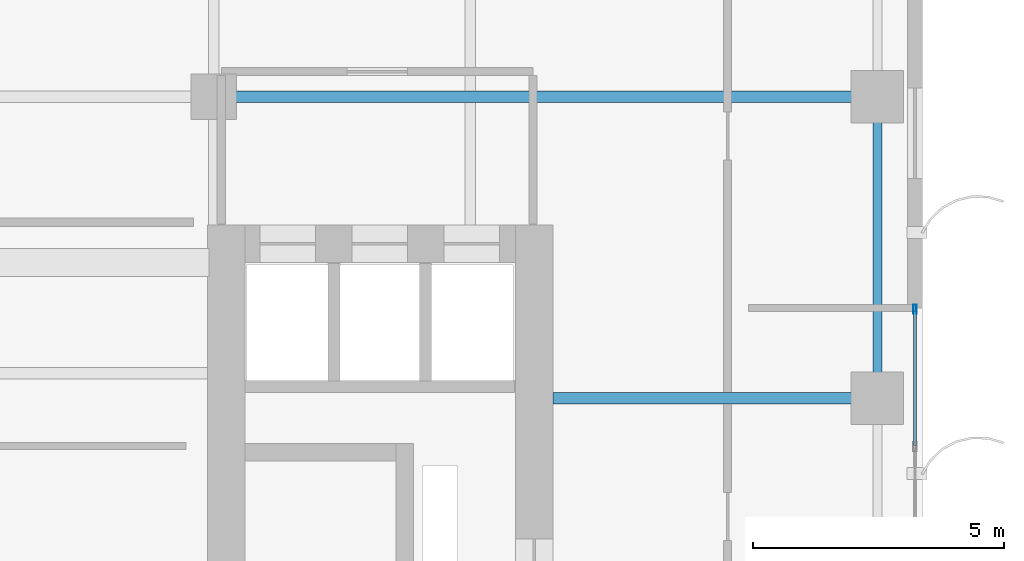
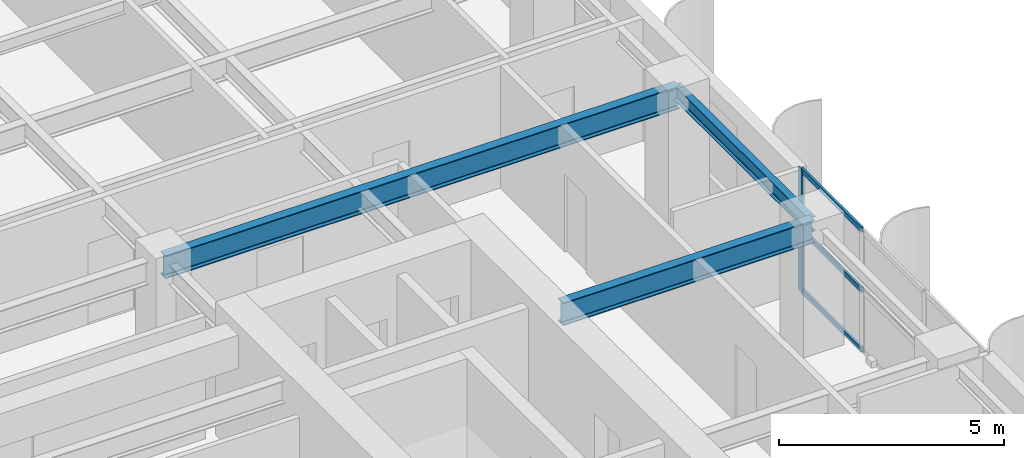
# One storey, part 12 of 22: 4 members, 3 beams, 1 element without a shape of its own.
"""IFC4 building model written with IfcOpenShell, lengths in metres."""

from ifc_helpers import new_model, si_unit, direction, frame, origin, origin_2d, place, context, subcontext, project, spatial, hollow_rectangle, i_section, extrude, source, transform, mapped, material, layer, layer_set, material_profile, profile_set, type_object, element, aggregate, save


model = new_model("IFC4")

# Units and contexts
model_context = context("Model", 3, precision=1e-05, world=origin(), true_north=direction((0.0, 1.0)))
body_context = subcontext(model_context, "Body", "Model", "MODEL_VIEW")
ifc_project = project(units=[si_unit("LENGTHUNIT", "METRE"), si_unit("AREAUNIT", "SQUARE_METRE"), si_unit("VOLUMEUNIT", "CUBIC_METRE"), si_unit("PLANEANGLEUNIT", "RADIAN"), si_unit("MASSUNIT", "GRAM", prefix="KILO")], contexts=[model_context])

# Site, building, storey
site_placement = place(None, origin())
site = spatial("IfcSite", under=ifc_project, at=site_placement, CompositionType="ELEMENT")
building_placement = place(site_placement, origin())
building = spatial("IfcBuilding", under=site, at=building_placement, Name="Khoralis Quay Care Tower", CompositionType="ELEMENT")
storey_placement = place(building_placement, frame((0.0, 0.0, 141.300048828125)))
storey = spatial("IfcBuildingStorey", under=building, at=storey_placement, Name="L37", CompositionType="ELEMENT", Elevation=141.300048828125)

# Beams
ifc_material_1 = material(Name="Steel S355", Category="steel")
ifc_material_profile_1 = material_profile(ifc_material_1, i_section(OverallWidth=0.179931640625, OverallDepth=0.39990234375, WebThickness=0.008544921875, FlangeThickness=0.013427734375, FilletRadius=0.02099609375, at=origin_2d()), Name="Steel S355")
ifc_profile_set_1 = profile_set([ifc_material_profile_1], Name="Steel S355")
beam_type_1 = type_object("IfcBeamType", Name="BM-IPE400", PredefinedType="SPANDREL", material=ifc_profile_set_1)
shared_shape_1 = source(origin(), body_context, "Body", "SweptSolid", [
    extrude(i_section(OverallWidth=0.179931640625, OverallDepth=0.39990234375, WebThickness=0.008544921875, FlangeThickness=0.013427734375, FilletRadius=0.02099609375, at=origin_2d()), origin(), (0.0, 0.0, 1.0), 6.0),
])
beam_1_placement = place(storey_placement, frame((44.10009765625, 24.0, 3.119873046875), z_axis=(0.0, 1.0, 0.0), x_axis=(-1.0, 0.0, 0.0)))
element("IfcBeam", 1, at=beam_1_placement, inside=storey, type_object=beam_type_1, Name="BM-TSP-L37-19", PredefinedType="SPANDREL", context=body_context, shape_type="MappedRepresentation", body=[
    mapped(shared_shape_1, transform((0.0, 0.0, 0.0), scale=1.0)),
])
ifc_material_profile_2 = material_profile(ifc_material_1, i_section(OverallWidth=0.22998046875, OverallDepth=0.616943359375, WebThickness=0.01318359375, FlangeThickness=0.022216796875, FilletRadius=0.01806640625, at=origin_2d()), Name="Steel S355")
ifc_profile_set_2 = profile_set([ifc_material_profile_2], Name="Steel S355")
beam_type_2 = type_object("IfcBeamType", Name="BM-W610X140", PredefinedType="BEAM", material=ifc_profile_set_2)
shared_shape_2 = source(origin(), body_context, "Body", "SweptSolid", [
    extrude(i_section(OverallWidth=0.22998046875, OverallDepth=0.616943359375, WebThickness=0.01318359375, FlangeThickness=0.022216796875, FilletRadius=0.01806640625, at=origin_2d()), origin(), (0.0, 0.0, 1.0), 13.2001953125),
])
beam_2_placement = place(storey_placement, frame((30.89990234375, 30.0, 3.011474609375), z_axis=(1.0, 0.0, 0.0), x_axis=(0.0, 1.0, 0.0)))
element("IfcBeam", 2, at=beam_2_placement, inside=storey, type_object=beam_type_2, Name="BM-TGXE-L37-300", PredefinedType="BEAM", context=body_context, shape_type="MappedRepresentation", body=[
    mapped(shared_shape_2, transform((0.0, 0.0, 0.0), scale=1.0)),
])
shared_shape_3 = source(origin(), body_context, "Body", "SweptSolid", [
    extrude(i_section(OverallWidth=0.22998046875, OverallDepth=0.616943359375, WebThickness=0.01318359375, FlangeThickness=0.022216796875, FilletRadius=0.01806640625, at=origin_2d()), origin(), (0.0, 0.0, 1.0), 6.4521484375),
])
beam_3_placement = place(storey_placement, frame((37.64794921875, 24.0, 3.011474609375), z_axis=(1.0, 0.0, 0.0), x_axis=(0.0, 1.0, 0.0)))
element("IfcBeam", 3, at=beam_3_placement, inside=storey, type_object=beam_type_2, Name="BM-TGXE-L37-240", PredefinedType="BEAM", context=body_context, shape_type="MappedRepresentation", body=[
    mapped(shared_shape_3, transform((0.0, 0.0, 0.0), scale=1.0)),
])

# Curtain wall, members
ifc_material_2 = material(Name="Pale anodised aluminium", Category="aluminium")
ifc_layer = layer(ifc_material_2, 0.169921875)
ifc_layer_set = layer_set([ifc_layer], Name="Pale anodised aluminium")
curtain_wall_type = type_object("IfcCurtainWallType", Name="CW-SYS-Z2", PredefinedType="NOTDEFINED", material=ifc_layer_set)
curtain_wall_placement = place(storey_placement, origin())
curtain_wall = element("IfcCurtainWall", 4, at=curtain_wall_placement, inside=storey, type_object=curtain_wall_type, Name="L37 Unitised Curtain Wall CW-L37-P1-E5", PredefinedType="NOTDEFINED")
ifc_material_profile_3 = material_profile(ifc_material_2, hollow_rectangle(XDim=0.06494140625, YDim=0.179931640625, WallThickness=0.00390625, at=origin_2d()), Name="Pale anodised aluminium")
ifc_profile_set_3 = profile_set([ifc_material_profile_3], Name="Pale anodised aluminium")
member_type_1 = type_object("IfcMemberType", Name="CW-MUL-180", PredefinedType="MULLION", material=ifc_profile_set_3)
shared_shape_4 = source(origin(), body_context, "Body", "SweptSolid", [
    extrude(hollow_rectangle(XDim=0.06494140625, YDim=0.179931640625, WallThickness=0.00390625, at=origin_2d()), origin(), (0.0, 0.0, 1.0), 3.320068359375),
])
member_1_placement = place(storey_placement, frame((44.85009765625, 25.77001953125, 0.0), z_axis=(0.0, 0.0, 1.0), x_axis=(-1.0, 0.0, 0.0)))
member_1 = element("IfcMember", 5, at=member_1_placement, type_object=member_type_1, Name="CW2 mullion 4", PredefinedType="MULLION", context=body_context, shape_type="MappedRepresentation", body=[
    mapped(shared_shape_4, transform((0.0, 0.0, 0.0), scale=1.0)),
])
ifc_material_profile_4 = material_profile(ifc_material_2, hollow_rectangle(XDim=0.06005859375, YDim=0.139892578125, WallThickness=0.00390625, at=origin_2d()), Name="Pale anodised aluminium")
ifc_profile_set_4 = profile_set([ifc_material_profile_4], Name="Pale anodised aluminium")
member_type_2 = type_object("IfcMemberType", Name="CW-TRN-140", PredefinedType="USERDEFINED", material=ifc_profile_set_4)
shared_shape_5 = source(origin(), body_context, "Body", "SweptSolid", [
    extrude(hollow_rectangle(XDim=0.06005859375, YDim=0.139892578125, WallThickness=0.00390625, at=origin_2d()), origin(), (0.0, 0.0, 1.0), 2.6767578125),
])
member_2_placement = place(storey_placement, frame((44.85009765625, 23.063232421875, 0.030029296875), z_axis=(0.0, 1.0, 0.0), x_axis=(-1.0, 0.0, 0.0)))
member_2 = element("IfcMember", 6, at=member_2_placement, type_object=member_type_2, Name="CW2 transom 3.1", ObjectType="TRANSOM", PredefinedType="USERDEFINED", context=body_context, shape_type="MappedRepresentation", body=[
    mapped(shared_shape_5, transform((0.0, 0.0, 0.0), scale=1.0)),
])
member_3_placement = place(storey_placement, frame((44.85009765625, 23.063232421875, 1.659912109375), z_axis=(0.0, 1.0, 0.0), x_axis=(-1.0, 0.0, 0.0)))
member_3 = element("IfcMember", 7, at=member_3_placement, type_object=member_type_2, Name="CW2 transom 3.2", ObjectType="TRANSOM", PredefinedType="USERDEFINED", context=body_context, shape_type="MappedRepresentation", body=[
    mapped(shared_shape_5, transform((0.0, 0.0, 0.0), scale=1.0)),
])
member_4_placement = place(storey_placement, frame((44.85009765625, 23.063232421875, 3.2900390625), z_axis=(0.0, 1.0, 0.0), x_axis=(-1.0, 0.0, 0.0)))
member_4 = element("IfcMember", 8, at=member_4_placement, type_object=member_type_2, Name="CW2 transom 3.3", ObjectType="TRANSOM", PredefinedType="USERDEFINED", context=body_context, shape_type="MappedRepresentation", body=[
    mapped(shared_shape_5, transform((0.0, 0.0, 0.0), scale=1.0)),
])
aggregate(curtain_wall, [member_1, member_2, member_3, member_4])

save(model, "model.ifc")
